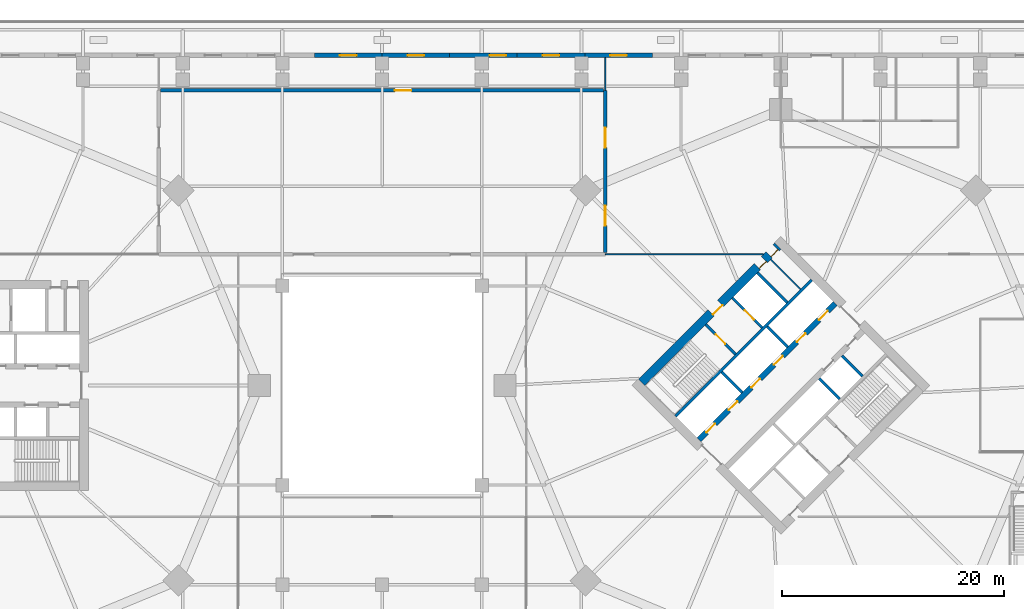
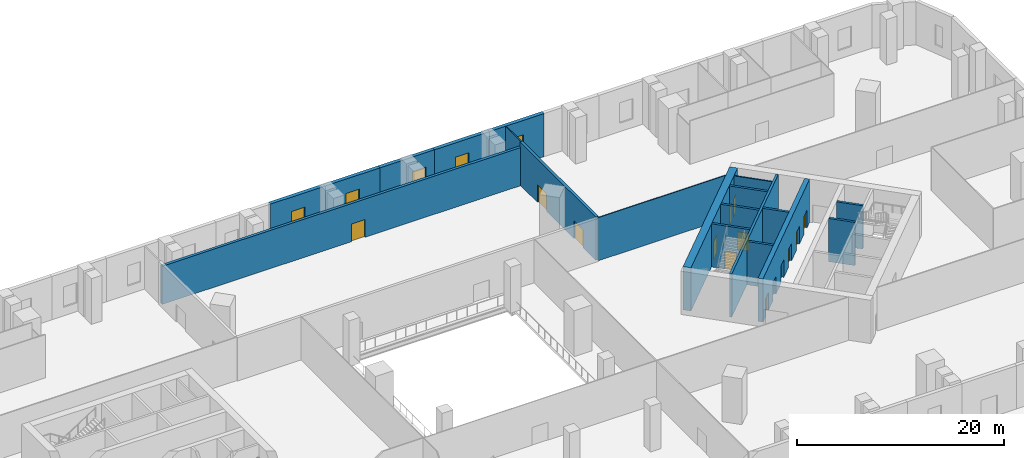
# One storey, part 9 of 19: 20 walls, 14 doors, 5 windows, 19 openings.
"""IFC4 building model written with IfcOpenShell, lengths in metres."""

import ifcopenshell
import ifcopenshell.guid

model = None  # the IFC model being written
_history = None  # IfcOwnerHistory: only IFC2X3 demands one
_inside = {}  # id of a spatial element -> (the spatial element, [elements in it])
_under = {}  # id of a project, library or spatial element -> (it, [spatial elements below it])
_declared = {}  # id of a project -> (the project, [libraries it declares])
_typed = {}  # id of a type object -> (the type object, [elements of that type])
_made_of = {}  # id of a material, layer set ... -> (it, [elements and type objects made of it])


def new_model(schema):
    """Start an empty IFC model of exactly this schema.

    Asked for "IFC4X3", IfcOpenShell would pick the latest addendum, in which some entities
    have other attributes; the version numbers below select the first issue.
    IFC2X3 requires an IfcOwnerHistory on every rooted entity: one is made here for all.
    """
    global model, _history
    if schema == "IFC4X3":
        model = ifcopenshell.file(schema_version=(4, 3, 0, 0))
    else:
        model = ifcopenshell.file(schema=schema)
    _inside.clear()
    _under.clear()
    _declared.clear()
    _typed.clear()
    _made_of.clear()
    _history = None
    if model.schema == "IFC2X3":
        org = make("IfcOrganization", Name="unknown")
        user = make(
            "IfcPersonAndOrganization",
            ThePerson=make("IfcPerson", FamilyName="unknown"),
            TheOrganization=org,
        )
        app = make(
            "IfcApplication",
            ApplicationDeveloper=org,
            Version="unknown",
            ApplicationFullName="unknown",
            ApplicationIdentifier="unknown",
        )
        _history = make(
            "IfcOwnerHistory",
            OwningUser=user,
            OwningApplication=app,
            ChangeAction="ADDED",
            CreationDate=0,
        )
    return model


def make(cls, **values):
    """One entity of the class cls with the attributes given. An attribute that is None is left unset."""
    return model.create_entity(
        cls, **{name: value for name, value in values.items() if value is not None}
    )


def rooted(cls, **values):
    """An entity with a GlobalId (a new one), such as an element, a storey or a relation."""
    return make(cls, GlobalId=ifcopenshell.guid.new(), OwnerHistory=_history, **values)


def si_unit(unit_type, name, prefix=None):
    """IfcSIUnit, for example si_unit("LENGTHUNIT", "METRE", prefix="MILLI")."""
    return make("IfcSIUnit", UnitType=unit_type, Prefix=prefix, Name=name)


def assignment(units):
    """IfcUnitAssignment: the units of a project."""
    return None if units is None else make("IfcUnitAssignment", Units=units)


def point(xyz):
    """IfcCartesianPoint."""
    return None if xyz is None else make("IfcCartesianPoint", Coordinates=xyz)


def direction(xyz):
    """IfcDirection."""
    return None if xyz is None else make("IfcDirection", DirectionRatios=xyz)


def frame(location, z_axis=None, x_axis=None):
    """IfcAxis2Placement3D, a coordinate frame: its origin and axes. An axis left out is left unset."""
    return make(
        "IfcAxis2Placement3D",
        Location=point(location),
        Axis=direction(z_axis),
        RefDirection=direction(x_axis),
    )


def frame_2d(location, x_axis=None):
    """IfcAxis2Placement2D, a coordinate frame in the plane: its origin and x axis."""
    return make(
        "IfcAxis2Placement2D", Location=point(location), RefDirection=direction(x_axis)
    )


def origin():
    """The frame at (0, 0, 0) with its axes left unset."""
    return frame((0.0, 0.0, 0.0))


def place(relative_to, where):
    """IfcLocalPlacement: puts the frame where relative to a parent placement (None: the world)."""
    return make(
        "IfcLocalPlacement", PlacementRelTo=relative_to, RelativePlacement=where
    )


def context(
    kind, dimensions, precision=None, world=None, true_north=None, identifier=None
):
    """IfcGeometricRepresentationContext, for example the 3D "Model" context."""
    return make(
        "IfcGeometricRepresentationContext",
        ContextIdentifier=identifier,
        ContextType=kind,
        CoordinateSpaceDimension=dimensions,
        Precision=precision,
        WorldCoordinateSystem=world,
        TrueNorth=true_north,
    )


def subcontext(parent, identifier, kind, view, scale=None):
    """IfcGeometricRepresentationSubContext, for example "Body" below "Model"."""
    return make(
        "IfcGeometricRepresentationSubContext",
        ContextIdentifier=identifier,
        ContextType=kind,
        ParentContext=parent,
        TargetScale=scale,
        TargetView=view,
    )


def project(units=None, contexts=None):
    """IfcProject with its units and contexts."""
    return rooted(
        "IfcProject",
        Name="project",
        RepresentationContexts=contexts,
        UnitsInContext=assignment(units),
    )


def spatial(cls, under=None, at=None, **own):
    """A site, building, storey or space (cls), placed at a placement, below another one or the project."""
    s = rooted(cls, ObjectPlacement=at, **own)
    if under is not None:
        _under.setdefault(under.id(), (under, []))[1].append(s)
    return s


def profile(cls, at=None, kind="AREA", **sizes):
    """A parametric profile (cls). Its sizes go by their IFC names, for example OverallWidth=200.0."""
    return make(cls, ProfileType=kind, Position=at, **sizes)


def rectangle(**sizes):
    """IfcRectangleProfileDef."""
    return profile("IfcRectangleProfileDef", **sizes)


def extrude(swept, where, along, depth):
    """IfcExtrudedAreaSolid: the profile swept, set in the frame where, extruded along a direction by depth."""
    return make(
        "IfcExtrudedAreaSolid",
        SweptArea=swept,
        Position=where,
        ExtrudedDirection=direction(along),
        Depth=depth,
    )


def shape(context_of_items, identifier, shape_type, items):
    """IfcShapeRepresentation: the items that make up one representation, for example the "Body"."""
    return make(
        "IfcShapeRepresentation",
        ContextOfItems=context_of_items,
        RepresentationIdentifier=identifier,
        RepresentationType=shape_type,
        Items=items,
    )


def material(Name=None, Category=None):
    """IfcMaterial."""
    return make("IfcMaterial", Name=Name, Category=Category)


def layer(
    of_material, thickness, ventilated=None, Name=None, Category=None, Priority=None
):
    """IfcMaterialLayer: one layer of a wall or slab, of a material (None: an air gap)."""
    return make(
        "IfcMaterialLayer",
        Material=of_material,
        LayerThickness=thickness,
        IsVentilated=ventilated,
        Name=Name,
        Category=Category,
        Priority=Priority,
    )


def layer_set(layers, Name=None):
    """IfcMaterialLayerSet."""
    return make("IfcMaterialLayerSet", MaterialLayers=layers, LayerSetName=Name)


def made_of(thing, what):
    """Note that an element or type object is made of a material, layer set ...; save() writes the relation."""
    if what is not None:
        _made_of.setdefault(what.id(), (what, []))[1].append(thing)
    return thing


def type_object(cls, material=None, **own):
    """A type object (cls), such as IfcWallType, which elements share."""
    return made_of(rooted(cls, **own), material)


def element(
    cls,
    number,
    at=None,
    inside=None,
    cuts=None,
    type_object=None,
    material=None,
    context=None,
    identifier="Body",
    shape_type=None,
    held_by="IfcProductDefinitionShape",
    body=None,
    shapes=None,
    **own,
):
    """One element of the class cls, such as IfcWall. Its Tag is "e" and its number.

    at: its placement. inside: the storey or other place that contains it. cuts: it is an
    opening in that element (IfcRelVoidsElement). A single representation is given by context,
    identifier, shape_type and body (its items); several are given by shapes. held_by: the class
    of the entity that holds the representations. save() writes the other relations.
    """
    e = rooted(cls, Tag="e%d" % number, ObjectPlacement=at, **own)
    if body is not None:
        shapes = [shape(context, identifier, shape_type, body)]
    if shapes is not None:
        e.Representation = make(held_by, Representations=shapes)
    if inside is not None:
        _inside.setdefault(inside.id(), (inside, []))[1].append(e)
    if cuts is not None:
        rooted(
            "IfcRelVoidsElement", RelatingBuildingElement=cuts, RelatedOpeningElement=e
        )
    if type_object is not None:
        _typed.setdefault(type_object.id(), (type_object, []))[1].append(e)
    return made_of(e, material)


def fill(opening, filler):
    """IfcRelFillsElement: the door or window that sits in an opening."""
    return rooted(
        "IfcRelFillsElement",
        RelatingOpeningElement=opening,
        RelatedBuildingElement=filler,
    )


def aggregate(whole, parts):
    """IfcRelAggregates: a whole, such as a stair, and the parts it consists of."""
    return rooted("IfcRelAggregates", RelatingObject=whole, RelatedObjects=parts)


def save(model, path):
    """Write the relations noted so far, then the file.

    IfcRelAggregates (storeys below a building ...), IfcRelContainedInSpatialStructure (elements
    in a storey), IfcRelDefinesByType, IfcRelAssociatesMaterial and IfcRelDeclares: one each for
    every whole, place, type object, material and project.
    """
    for whole, parts in _under.values():
        aggregate(whole, parts)
    for where, things in _inside.values():
        rooted(
            "IfcRelContainedInSpatialStructure",
            RelatedElements=things,
            RelatingStructure=where,
        )
    for kind, things in _typed.values():
        rooted("IfcRelDefinesByType", RelatedObjects=things, RelatingType=kind)
    for what, things in _made_of.values():
        rooted("IfcRelAssociatesMaterial", RelatedObjects=things, RelatingMaterial=what)
    for by, libraries in _declared.values():
        rooted("IfcRelDeclares", RelatingContext=by, RelatedDefinitions=libraries)
    model.write(path)


model = new_model("IFC4")

# Units and contexts
model_context = context("Model", 3, precision=1e-05, world=origin(), true_north=direction((0.0, 1.0)))
body_context = subcontext(model_context, "Body", "Model", "MODEL_VIEW")
ifc_project = project(units=[si_unit("LENGTHUNIT", "METRE"), si_unit("AREAUNIT", "SQUARE_METRE"), si_unit("VOLUMEUNIT", "CUBIC_METRE"), si_unit("PLANEANGLEUNIT", "RADIAN"), si_unit("MASSUNIT", "GRAM", prefix="KILO")], contexts=[model_context])

# Site, building, storey
site_placement = place(None, origin())
site = spatial("IfcSite", under=ifc_project, at=site_placement, CompositionType="ELEMENT")
building_placement = place(site_placement, origin())
building = spatial("IfcBuilding", under=site, at=building_placement, Name="Ogive Gate Towers", CompositionType="ELEMENT")
storey_placement = place(building_placement, frame((0.0, 0.0, 12.60009765625)))
storey = spatial("IfcBuildingStorey", under=building, at=storey_placement, Name="L02", CompositionType="ELEMENT", Elevation=12.60009765625)

# Wall, openings, doors
ifc_material_1 = material(Name="Concrete C60/75", Category="concrete")
ifc_layer_1 = layer(ifc_material_1, 0.800048828125)
ifc_layer_set_1 = layer_set([ifc_layer_1], Name="Core wall 800 mm")
wall_type_1 = type_object("IfcWallType", Name="Core wall 800 mm", PredefinedType="SHEAR", material=ifc_layer_set_1)
wall_1_placement = place(storey_placement, frame((23.41357421875, 0.28271484375, 0.0), z_axis=(0.0, 0.0, 1.0), x_axis=(0.707106781187, 0.707106781187, 0.0)))
wall_1 = element("IfcWall", 1, at=wall_1_placement, inside=storey, type_object=wall_type_1, Name="T2 L02 Core wall 800 mm", PredefinedType="SHEAR", context=body_context, shape_type="SweptSolid", body=[
    extrude(rectangle(XDim=17.400146484375, YDim=0.800048828125, at=frame_2d((8.7001953125, 0.0))), origin(), (0.0, 0.0, 1.0), 5.099853515625),
])
opening_1_placement = place(wall_1_placement, frame((8.89990234375, 0.0, 0.0)))
opening_1 = element("IfcOpeningElement", 2, at=opening_1_placement, cuts=wall_1, Name="Opening KD-T2-L02-15", PredefinedType="OPENING", context=body_context, shape_type="SweptSolid", body=[
    extrude(rectangle(XDim=1.199951171875, YDim=2.10009765625, at=frame_2d((0.60009765625, 1.050048828125))), frame((0.0, 0.41015625, 0.0), z_axis=(0.0, -1.0, 0.0), x_axis=(1.0, 0.0, 0.0)), (0.0, 0.0, 1.0), 0.820068359375),
])
opening_2_placement = place(wall_1_placement, frame((14.800048828125, 0.0, 0.0)))
opening_2 = element("IfcOpeningElement", 3, at=opening_2_placement, cuts=wall_1, Name="Opening KD-T2-L02-17", PredefinedType="OPENING", context=body_context, shape_type="SweptSolid", body=[
    extrude(rectangle(XDim=0.89990234375, YDim=2.10009765625, at=frame_2d((0.449951171875, 1.050048828125))), frame((0.0, 0.41015625, 0.0), z_axis=(0.0, -1.0, 0.0), x_axis=(1.0, 0.0, 0.0)), (0.0, 0.0, 1.0), 0.820068359375),
])
opening_3_placement = place(wall_1_placement, frame((16.300048828125, 0.0, 0.0)))
opening_3 = element("IfcOpeningElement", 4, at=opening_3_placement, cuts=wall_1, Name="Opening KD-T2-L02-18", PredefinedType="OPENING", context=body_context, shape_type="SweptSolid", body=[
    extrude(rectangle(XDim=0.89990234375, YDim=2.10009765625, at=frame_2d((0.449951171875, 1.050048828125))), frame((0.0, 0.41015625, 0.0), z_axis=(0.0, -1.0, 0.0), x_axis=(1.0, 0.0, 0.0)), (0.0, 0.0, 1.0), 0.820068359375),
])
ifc_material_2 = material(Name="Timber door", Category="wood")
door_type_1 = type_object("IfcDoorType", Name="Core WC door 900 x 2100", OperationType="NOTDEFINED", PredefinedType="DOOR", material=ifc_material_2)
door_1_placement = place(opening_2_placement, origin())
door_1 = element("IfcDoor", 5, at=door_1_placement, inside=storey, type_object=door_type_1, Name="T2 L02 Core door", OperationType="SINGLE_SWING_RIGHT", OverallHeight=2.10009765625, OverallWidth=0.89990234375, PredefinedType="DOOR", context=body_context, shape_type="SweptSolid", body=[
    extrude(rectangle(XDim=0.89990234375, YDim=2.10009765625, at=frame_2d((0.449951171875, 1.050048828125))), frame((0.0, -0.22509765625, 0.0), z_axis=(0.0, -1.0, 0.0), x_axis=(1.0, 0.0, 0.0)), (0.0, 0.0, 1.0), 0.050048828125),
])
fill(opening_2, door_1)
door_2_placement = place(opening_3_placement, origin())
door_2 = element("IfcDoor", 6, at=door_2_placement, inside=storey, type_object=door_type_1, Name="T2 L02 Core door", OperationType="SINGLE_SWING_LEFT", OverallHeight=2.10009765625, OverallWidth=0.89990234375, PredefinedType="DOOR", context=body_context, shape_type="SweptSolid", body=[
    extrude(rectangle(XDim=0.89990234375, YDim=2.10009765625, at=frame_2d((0.449951171875, 1.050048828125))), frame((0.0, -0.22509765625, 0.0), z_axis=(0.0, -1.0, 0.0), x_axis=(1.0, 0.0, 0.0)), (0.0, 0.0, 1.0), 0.050048828125),
])
fill(opening_3, door_2)
ifc_material_3 = material(Name="Steel fire door", Category="steel")
door_type_2 = type_object("IfcDoorType", Name="Core door FD60S 1200 x 2100", OperationType="NOTDEFINED", PredefinedType="DOOR", material=ifc_material_3)
door_3_placement = place(opening_1_placement, origin())
door_3 = element("IfcDoor", 7, at=door_3_placement, inside=storey, type_object=door_type_2, Name="T2 L02 Fire-fighting lobby door", OperationType="SINGLE_SWING_RIGHT", OverallHeight=2.10009765625, OverallWidth=1.199951171875, PredefinedType="DOOR", context=body_context, shape_type="SweptSolid", body=[
    extrude(rectangle(XDim=1.199951171875, YDim=2.10009765625, at=frame_2d((0.60009765625, 1.050048828125))), frame((0.0, -0.22509765625, 0.0), z_axis=(0.0, -1.0, 0.0), x_axis=(1.0, 0.0, 0.0)), (0.0, 0.0, 1.0), 0.050048828125),
])
fill(opening_1, door_3)

# Walls
ifc_material_4 = material(Name="Gypsum board partition")
ifc_layer_2 = layer(ifc_material_4, 0.10009765625)
ifc_layer_set_2 = layer_set([ifc_layer_2], Name="Partition wall 100")
wall_type_2 = type_object("IfcWallType", Name="Partition wall 100", PredefinedType="PARTITIONING", material=ifc_layer_set_2)
wall_2_placement = place(storey_placement, frame((20.14990234375, 26.64990234375, 0.0), z_axis=(0.0, 0.0, 1.0), x_axis=(0.0, 1.0, 0.0)))
element("IfcWall", 8, at=wall_2_placement, inside=storey, type_object=wall_type_2, Name="L02 partition 024", PredefinedType="PARTITIONING", context=body_context, shape_type="SweptSolid", body=[
    extrude(rectangle(XDim=2.9501953125, YDim=0.10009765625, at=frame_2d((1.47509765625, 0.0))), origin(), (0.0, 0.0, 1.0), 5.099853515625),
])
wall_3_placement = place(storey_placement, frame((20.14990234375, 11.85009765625, 0.0), z_axis=(0.0, 0.0, 1.0), x_axis=(1.0, 0.0, 0.0)))
element("IfcWall", 9, at=wall_3_placement, inside=storey, type_object=wall_type_2, Name="L02 partition 047", PredefinedType="PARTITIONING", context=body_context, shape_type="SweptSolid", body=[
    extrude(rectangle(XDim=14.26513671875, YDim=0.10009765625, at=frame_2d((7.132568359375, 0.0))), origin(), (0.0, 0.0, 1.0), 5.099853515625),
])

# Wall, opening, door
ifc_material_5 = material(Name="Acoustic masonry wall", Category="masonry")
ifc_layer_3 = layer(ifc_material_5, 0.300048828125)
ifc_layer_set_3 = layer_set([ifc_layer_3], Name="Partition wall 300")
wall_type_3 = type_object("IfcWallType", Name="Partition wall 300", PredefinedType="PARTITIONING", material=ifc_layer_set_3)
wall_4_placement = place(storey_placement, frame((-20.0, 26.64990234375, 0.0), z_axis=(0.0, 0.0, 1.0), x_axis=(1.0, 0.0, 0.0)))
wall_4 = element("IfcWall", 10, at=wall_4_placement, inside=storey, type_object=wall_type_3, Name="L02 partition 017", PredefinedType="PARTITIONING", context=body_context, shape_type="SweptSolid", body=[
    extrude(rectangle(XDim=40.0, YDim=0.300048828125, at=frame_2d((20.0, 0.0))), origin(), (0.0, 0.0, 1.0), 4.510009765625),
])
opening_4_placement = place(wall_4_placement, frame((21.14501953125, 0.0, 0.0)))
opening_4 = element("IfcOpeningElement", 11, at=opening_4_placement, cuts=wall_4, Name="Opening PO162", PredefinedType="OPENING", context=body_context, shape_type="SweptSolid", body=[
    extrude(rectangle(XDim=1.5, YDim=2.10009765625, at=frame_2d((0.75, 1.050048828125))), frame((0.0, 0.16015625, 0.0), z_axis=(0.0, -1.0, 0.0), x_axis=(1.0, 0.0, 0.0)), (0.0, 0.0, 1.0), 0.320068359375),
])
door_type_3 = type_object("IfcDoorType", Name="Interior fire double door FD60S 1500 x 2100", OperationType="NOTDEFINED", PredefinedType="DOOR", material=ifc_material_3)
door_4_placement = place(opening_4_placement, origin())
door_4 = element("IfcDoor", 12, at=door_4_placement, inside=storey, type_object=door_type_3, Name="Door PO162", OperationType="DOUBLE_DOOR_DOUBLE_SWING", OverallHeight=2.10009765625, OverallWidth=1.5, PredefinedType="DOOR", context=body_context, shape_type="SweptSolid", body=[
    extrude(rectangle(XDim=1.5, YDim=2.10009765625, at=frame_2d((0.75, 1.050048828125))), frame((0.0, 0.02490234375, 0.0), z_axis=(0.0, -1.0, 0.0), x_axis=(1.0, 0.0, 0.0)), (0.0, 0.0, 1.0), 0.050048828125),
])
fill(opening_4, door_4)

# Wall, openings, doors
wall_5_placement = place(storey_placement, frame((20.14990234375, 12.0, 0.0), z_axis=(0.0, 0.0, 1.0), x_axis=(0.0, 1.0, 0.0)))
wall_5 = element("IfcWall", 13, at=wall_5_placement, inside=storey, type_object=wall_type_3, Name="L02 partition 019", PredefinedType="PARTITIONING", context=body_context, shape_type="SweptSolid", body=[
    extrude(rectangle(XDim=14.64990234375, YDim=0.300048828125, at=frame_2d((7.324951171875, 0.0))), origin(), (0.0, 0.0, 1.0), 5.099853515625),
])
opening_5_placement = place(wall_5_placement, frame((2.44384765625, 0.0, 0.0)))
opening_5 = element("IfcOpeningElement", 14, at=opening_5_placement, cuts=wall_5, Name="Opening PO160", PredefinedType="OPENING", context=body_context, shape_type="SweptSolid", body=[
    extrude(rectangle(XDim=1.800048828125, YDim=2.10009765625, at=frame_2d((0.89990234375, 1.050048828125))), frame((0.0, 0.16015625, 0.0), z_axis=(0.0, -1.0, 0.0), x_axis=(1.0, 0.0, 0.0)), (0.0, 0.0, 1.0), 0.320068359375),
])
opening_6_placement = place(wall_5_placement, frame((9.487548828125, 0.0, 0.0)))
opening_6 = element("IfcOpeningElement", 15, at=opening_6_placement, cuts=wall_5, Name="Opening PO161", PredefinedType="OPENING", context=body_context, shape_type="SweptSolid", body=[
    extrude(rectangle(XDim=1.800048828125, YDim=2.10009765625, at=frame_2d((0.89990234375, 1.050048828125))), frame((0.0, 0.16015625, 0.0), z_axis=(0.0, -1.0, 0.0), x_axis=(1.0, 0.0, 0.0)), (0.0, 0.0, 1.0), 0.320068359375),
])
door_type_4 = type_object("IfcDoorType", Name="Interior fire double door FD60S 1800 x 2100", OperationType="NOTDEFINED", PredefinedType="DOOR", material=ifc_material_3)
door_5_placement = place(opening_5_placement, origin())
door_5 = element("IfcDoor", 16, at=door_5_placement, inside=storey, type_object=door_type_4, Name="Door PO160", OperationType="DOUBLE_DOOR_DOUBLE_SWING", OverallHeight=2.10009765625, OverallWidth=1.800048828125, PredefinedType="DOOR", context=body_context, shape_type="SweptSolid", body=[
    extrude(rectangle(XDim=1.800048828125, YDim=2.10009765625, at=frame_2d((0.89990234375, 1.050048828125))), frame((0.0, 0.02490234375, 0.0), z_axis=(0.0, -1.0, 0.0), x_axis=(1.0, 0.0, 0.0)), (0.0, 0.0, 1.0), 0.050048828125),
])
fill(opening_5, door_5)
door_6_placement = place(opening_6_placement, origin())
door_6 = element("IfcDoor", 17, at=door_6_placement, inside=storey, type_object=door_type_4, Name="Door PO161", OperationType="DOUBLE_DOOR_DOUBLE_SWING", OverallHeight=2.10009765625, OverallWidth=1.800048828125, PredefinedType="DOOR", context=body_context, shape_type="SweptSolid", body=[
    extrude(rectangle(XDim=1.800048828125, YDim=2.10009765625, at=frame_2d((0.89990234375, 1.050048828125))), frame((0.0, 0.02490234375, 0.0), z_axis=(0.0, -1.0, 0.0), x_axis=(1.0, 0.0, 0.0)), (0.0, 0.0, 1.0), 0.050048828125),
])
fill(opening_6, door_6)

# Wall, opening, window
ifc_material_6 = material(Name="Precast concrete C40/50", Category="concrete")
ifc_layer_4 = layer(ifc_material_6, 0.39990234375)
ifc_layer_set_4 = layer_set([ifc_layer_4], Name="Podium wall 400")
wall_type_4 = type_object("IfcWallType", Name="Podium wall 400", PredefinedType="SOLIDWALL", material=ifc_layer_set_4)
wall_6_placement = place(storey_placement, frame((24.39990234375, 29.800048828125, 0.0), z_axis=(0.0, 0.0, 1.0), x_axis=(-1.0, 0.0, 0.0)))
wall_6 = element("IfcWall", 18, at=wall_6_placement, inside=storey, type_object=wall_type_4, Name="Podium wall", PredefinedType="SOLIDWALL", context=body_context, shape_type="SweptSolid", body=[
    extrude(rectangle(XDim=6.099853515625, YDim=0.39990234375, at=frame_2d((3.0498046875, 0.0))), origin(), (0.0, 0.0, 1.0), 5.099853515625),
])
opening_7_placement = place(wall_6_placement, frame((2.300048828125, 0.0, 1.0)))
opening_7 = element("IfcOpeningElement", 19, at=opening_7_placement, cuts=wall_6, Name="Opening WN2", PredefinedType="OPENING", context=body_context, shape_type="SweptSolid", body=[
    extrude(rectangle(XDim=1.5, YDim=2.39990234375, at=frame_2d((0.75, 1.199951171875))), frame((0.0, 0.2099609375, 0.0), z_axis=(0.0, -1.0, 0.0), x_axis=(1.0, 0.0, 0.0)), (0.0, 0.0, 1.0), 0.419921875),
])
ifc_material_7 = material(Name="Clear glass", Category="glass")
window_type = type_object("IfcWindowType", Name="Podium window 1500 x 2400", PartitioningType="SINGLE_PANEL", PredefinedType="WINDOW", material=ifc_material_7)
window_1_placement = place(opening_7_placement, origin())
window_1 = element("IfcWindow", 20, at=window_1_placement, inside=storey, type_object=window_type, Name="Podium window", OverallHeight=2.39990234375, OverallWidth=1.5, PartitioningType="SINGLE_PANEL", PredefinedType="WINDOW", context=body_context, shape_type="SweptSolid", body=[
    extrude(rectangle(XDim=1.5, YDim=2.39990234375, at=frame_2d((0.75, 1.199951171875))), frame((0.0, 0.030029296875, 0.0), z_axis=(0.0, -1.0, 0.0), x_axis=(1.0, 0.0, 0.0)), (0.0, 0.0, 1.0), 0.06005859375),
])
fill(opening_7, window_1)

wall_7_placement = place(storey_placement, frame((18.300048828125, 29.800048828125, 0.0), z_axis=(0.0, 0.0, 1.0), x_axis=(-1.0, 0.0, 0.0)))
wall_7 = element("IfcWall", 21, at=wall_7_placement, inside=storey, type_object=wall_type_4, Name="Podium wall", PredefinedType="SOLIDWALL", context=body_context, shape_type="SweptSolid", body=[
    extrude(rectangle(XDim=6.10009765625, YDim=0.39990234375, at=frame_2d((3.050048828125, 0.0))), origin(), (0.0, 0.0, 1.0), 5.099853515625),
])
opening_8_placement = place(wall_7_placement, frame((2.300048828125, 0.0, 1.0)))
opening_8 = element("IfcOpeningElement", 22, at=opening_8_placement, cuts=wall_7, Name="Opening WN2", PredefinedType="OPENING", context=body_context, shape_type="SweptSolid", body=[
    extrude(rectangle(XDim=1.5, YDim=2.39990234375, at=frame_2d((0.75, 1.199951171875))), frame((0.0, 0.2099609375, 0.0), z_axis=(0.0, -1.0, 0.0), x_axis=(1.0, 0.0, 0.0)), (0.0, 0.0, 1.0), 0.419921875),
])
window_2_placement = place(opening_8_placement, origin())
window_2 = element("IfcWindow", 23, at=window_2_placement, inside=storey, type_object=window_type, Name="Podium window", OverallHeight=2.39990234375, OverallWidth=1.5, PartitioningType="SINGLE_PANEL", PredefinedType="WINDOW", context=body_context, shape_type="SweptSolid", body=[
    extrude(rectangle(XDim=1.5, YDim=2.39990234375, at=frame_2d((0.75, 1.199951171875))), frame((0.0, 0.030029296875, 0.0), z_axis=(0.0, -1.0, 0.0), x_axis=(1.0, 0.0, 0.0)), (0.0, 0.0, 1.0), 0.06005859375),
])
fill(opening_8, window_2)

wall_8_placement = place(storey_placement, frame((12.199951171875, 29.800048828125, 0.0), z_axis=(0.0, 0.0, 1.0), x_axis=(-1.0, 0.0, 0.0)))
wall_8 = element("IfcWall", 24, at=wall_8_placement, inside=storey, type_object=wall_type_4, Name="Podium wall", PredefinedType="SOLIDWALL", context=body_context, shape_type="SweptSolid", body=[
    extrude(rectangle(XDim=6.099853515625, YDim=0.39990234375, at=frame_2d((3.0498046875, 0.0))), origin(), (0.0, 0.0, 1.0), 5.099853515625),
])
opening_9_placement = place(wall_8_placement, frame((1.0, 0.0, 1.0)))
opening_9 = element("IfcOpeningElement", 25, at=opening_9_placement, cuts=wall_8, Name="Opening WN2", PredefinedType="OPENING", context=body_context, shape_type="SweptSolid", body=[
    extrude(rectangle(XDim=1.5, YDim=2.39990234375, at=frame_2d((0.75, 1.199951171875))), frame((0.0, 0.2099609375, 0.0), z_axis=(0.0, -1.0, 0.0), x_axis=(1.0, 0.0, 0.0)), (0.0, 0.0, 1.0), 0.419921875),
])
window_3_placement = place(opening_9_placement, origin())
window_3 = element("IfcWindow", 26, at=window_3_placement, inside=storey, type_object=window_type, Name="Podium window", OverallHeight=2.39990234375, OverallWidth=1.5, PartitioningType="SINGLE_PANEL", PredefinedType="WINDOW", context=body_context, shape_type="SweptSolid", body=[
    extrude(rectangle(XDim=1.5, YDim=2.39990234375, at=frame_2d((0.75, 1.199951171875))), frame((0.0, 0.030029296875, 0.0), z_axis=(0.0, -1.0, 0.0), x_axis=(1.0, 0.0, 0.0)), (0.0, 0.0, 1.0), 0.06005859375),
])
fill(opening_9, window_3)

wall_9_placement = place(storey_placement, frame((6.10009765625, 29.800048828125, 0.0), z_axis=(0.0, 0.0, 1.0), x_axis=(-1.0, 0.0, 0.0)))
wall_9 = element("IfcWall", 27, at=wall_9_placement, inside=storey, type_object=wall_type_4, Name="Podium wall", PredefinedType="SOLIDWALL", context=body_context, shape_type="SweptSolid", body=[
    extrude(rectangle(XDim=6.10009765625, YDim=0.39990234375, at=frame_2d((3.050048828125, 0.0))), origin(), (0.0, 0.0, 1.0), 5.099853515625),
])
opening_10_placement = place(wall_9_placement, frame((2.300048828125, 0.0, 1.0)))
opening_10 = element("IfcOpeningElement", 28, at=opening_10_placement, cuts=wall_9, Name="Opening WN2", PredefinedType="OPENING", context=body_context, shape_type="SweptSolid", body=[
    extrude(rectangle(XDim=1.5, YDim=2.39990234375, at=frame_2d((0.75, 1.199951171875))), frame((0.0, 0.2099609375, 0.0), z_axis=(0.0, -1.0, 0.0), x_axis=(1.0, 0.0, 0.0)), (0.0, 0.0, 1.0), 0.419921875),
])
window_4_placement = place(opening_10_placement, origin())
window_4 = element("IfcWindow", 29, at=window_4_placement, inside=storey, type_object=window_type, Name="Podium window", OverallHeight=2.39990234375, OverallWidth=1.5, PartitioningType="SINGLE_PANEL", PredefinedType="WINDOW", context=body_context, shape_type="SweptSolid", body=[
    extrude(rectangle(XDim=1.5, YDim=2.39990234375, at=frame_2d((0.75, 1.199951171875))), frame((0.0, 0.030029296875, 0.0), z_axis=(0.0, -1.0, 0.0), x_axis=(1.0, 0.0, 0.0)), (0.0, 0.0, 1.0), 0.06005859375),
])
fill(opening_10, window_4)

wall_10_placement = place(storey_placement, frame((0.0, 29.800048828125, 0.0), z_axis=(0.0, 0.0, 1.0), x_axis=(-1.0, 0.0, 0.0)))
wall_10 = element("IfcWall", 30, at=wall_10_placement, inside=storey, type_object=wall_type_4, Name="Podium wall", PredefinedType="SOLIDWALL", context=body_context, shape_type="SweptSolid", body=[
    extrude(rectangle(XDim=6.10009765625, YDim=0.39990234375, at=frame_2d((3.050048828125, 0.0))), origin(), (0.0, 0.0, 1.0), 5.099853515625),
])
opening_11_placement = place(wall_10_placement, frame((2.300048828125, 0.0, 1.0)))
opening_11 = element("IfcOpeningElement", 31, at=opening_11_placement, cuts=wall_10, Name="Opening WN2", PredefinedType="OPENING", context=body_context, shape_type="SweptSolid", body=[
    extrude(rectangle(XDim=1.5, YDim=2.39990234375, at=frame_2d((0.75, 1.199951171875))), frame((0.0, 0.2099609375, 0.0), z_axis=(0.0, -1.0, 0.0), x_axis=(1.0, 0.0, 0.0)), (0.0, 0.0, 1.0), 0.419921875),
])
window_5_placement = place(opening_11_placement, origin())
window_5 = element("IfcWindow", 32, at=window_5_placement, inside=storey, type_object=window_type, Name="Podium window", OverallHeight=2.39990234375, OverallWidth=1.5, PartitioningType="SINGLE_PANEL", PredefinedType="WINDOW", context=body_context, shape_type="SweptSolid", body=[
    extrude(rectangle(XDim=1.5, YDim=2.39990234375, at=frame_2d((0.75, 1.199951171875))), frame((0.0, 0.030029296875, 0.0), z_axis=(0.0, -1.0, 0.0), x_axis=(1.0, 0.0, 0.0)), (0.0, 0.0, 1.0), 0.06005859375),
])
fill(opening_11, window_5)

# Walls
ifc_layer_5 = layer(ifc_material_4, 0.14990234375)
ifc_layer_set_5 = layer_set([ifc_layer_5], Name="Room partition 150 mm")
wall_type_5 = type_object("IfcWallType", Name="Room partition 150 mm", PredefinedType="PARTITIONING", material=ifc_layer_set_5)
wall_11_placement = place(storey_placement, frame((37.785400390625, 8.6796875, 0.0), z_axis=(0.0, 0.0, 1.0), x_axis=(-0.707074866995, 0.707138693938, 0.0)))
element("IfcWall", 33, at=wall_11_placement, inside=storey, type_object=wall_type_5, Name="T2 L02 Room partition 150 mm", PredefinedType="PARTITIONING", context=body_context, shape_type="SweptSolid", body=[
    extrude(rectangle(XDim=3.824951171875, YDim=0.14990234375, at=frame_2d((1.91259765625, 0.0))), origin(), (0.0, 0.0, 1.0), 5.099853515625),
])
ifc_layer_6 = layer(ifc_material_1, 0.25)
ifc_layer_set_6 = layer_set([ifc_layer_6], Name="Shaft wall 250 mm")
wall_type_6 = type_object("IfcWallType", Name="Shaft wall 250 mm", PredefinedType="SHEAR", material=ifc_layer_set_6)
wall_12_placement = place(storey_placement, frame((26.489501953125, -2.793212890625, 0.0), z_axis=(0.0, 0.0, 1.0), x_axis=(0.707106781187, 0.707106781187, 0.0)))
element("IfcWall", 34, at=wall_12_placement, inside=storey, type_object=wall_type_6, Name="T2 L02 Shaft wall 250 mm", PredefinedType="SHEAR", context=body_context, shape_type="SweptSolid", body=[
    extrude(rectangle(XDim=17.400146484375, YDim=0.25, at=frame_2d((8.7001953125, 0.0))), origin(), (0.0, 0.0, 1.0), 5.099853515625),
])
wall_13_placement = place(storey_placement, frame((32.53515625, -0.636474609375, 0.0), z_axis=(0.0, 0.0, 1.0), x_axis=(-0.707106781187, 0.707106781187, 0.0)))
element("IfcWall", 35, at=wall_13_placement, inside=storey, type_object=wall_type_6, Name="T2 L02 Shaft wall 250 mm", PredefinedType="SHEAR", context=body_context, shape_type="SweptSolid", body=[
    extrude(rectangle(XDim=2.625, YDim=0.25, at=frame_2d((1.3125, 0.0))), origin(), (0.0, 0.0, 1.0), 5.099853515625),
])

# Wall, opening, door
wall_14_placement = place(storey_placement, frame((31.91650390625, 2.810791015625, 0.0), z_axis=(0.0, 0.0, 1.0), x_axis=(-0.707106781187, 0.707106781187, 0.0)))
wall_14 = element("IfcWall", 36, at=wall_14_placement, inside=storey, type_object=wall_type_6, Name="T2 L02 Shaft wall 250 mm", PredefinedType="SHEAR", context=body_context, shape_type="SweptSolid", body=[
    extrude(rectangle(XDim=3.824951171875, YDim=0.25, at=frame_2d((1.91259765625, 0.0))), origin(), (0.0, 0.0, 1.0), 5.099853515625),
])
opening_12_placement = place(wall_14_placement, frame((1.324951171875, 0.0, 0.0)))
opening_12 = element("IfcOpeningElement", 37, at=opening_12_placement, cuts=wall_14, Name="Opening KD-T2-L02-13", PredefinedType="OPENING", context=body_context, shape_type="SweptSolid", body=[
    extrude(rectangle(XDim=1.199951171875, YDim=2.10009765625, at=frame_2d((0.60009765625, 1.050048828125))), frame((0.0, 0.135009765625, 0.0), z_axis=(0.0, -1.0, 0.0), x_axis=(1.0, 0.0, 0.0)), (0.0, 0.0, 1.0), 0.27001953125),
])
door_7_placement = place(opening_12_placement, origin())
door_7 = element("IfcDoor", 38, at=door_7_placement, inside=storey, type_object=door_type_2, Name="T2 L02 Stair door", OperationType="SINGLE_SWING_RIGHT", OverallHeight=2.10009765625, OverallWidth=1.199951171875, PredefinedType="DOOR", context=body_context, shape_type="SweptSolid", body=[
    extrude(rectangle(XDim=1.199951171875, YDim=2.10009765625, at=frame_2d((0.60009765625, 1.050048828125))), frame((0.0, 0.02490234375, 0.0), z_axis=(0.0, -1.0, 0.0), x_axis=(1.0, 0.0, 0.0)), (0.0, 0.0, 1.0), 0.050048828125),
])
fill(opening_12, door_7)

wall_15_placement = place(storey_placement, frame((34.320556640625, 5.21484375, 0.0), z_axis=(0.0, 0.0, 1.0), x_axis=(-0.707074866995, 0.707138693938, 0.0)))
wall_15 = element("IfcWall", 39, at=wall_15_placement, inside=storey, type_object=wall_type_6, Name="T2 L02 Shaft wall 250 mm", PredefinedType="SHEAR", context=body_context, shape_type="SweptSolid", body=[
    extrude(rectangle(XDim=3.824951171875, YDim=0.25, at=frame_2d((1.91259765625, 0.0))), origin(), (0.0, 0.0, 1.0), 5.099853515625),
])
opening_13_placement = place(wall_15_placement, frame((1.02490234375, 0.0, 0.0)))
opening_13 = element("IfcOpeningElement", 40, at=opening_13_placement, cuts=wall_15, Name="Opening LD-T2-L02-10", PredefinedType="OPENING", context=body_context, shape_type="SweptSolid", body=[
    extrude(rectangle(XDim=1.199951171875, YDim=2.10009765625, at=frame_2d((0.60009765625, 1.050048828125))), frame((0.0, 0.135009765625, 0.0), z_axis=(0.0, -1.0, 0.0), x_axis=(1.0, 0.0, 0.0)), (0.0, 0.0, 1.0), 0.27001953125),
])
ifc_material_8 = material(Name="Stainless steel landing door", Category="steel")
door_type_5 = type_object("IfcDoorType", Name="Landing door 1200 x 2100", OperationType="SLIDING_TO_LEFT", PredefinedType="DOOR", material=ifc_material_8)
door_8_placement = place(opening_13_placement, origin())
door_8 = element("IfcDoor", 41, at=door_8_placement, inside=storey, type_object=door_type_5, Name="T2 L02 Lift landing door FF1", OperationType="SLIDING_TO_LEFT", OverallHeight=2.10009765625, OverallWidth=1.199951171875, PredefinedType="DOOR", context=body_context, shape_type="SweptSolid", body=[
    extrude(rectangle(XDim=1.199951171875, YDim=2.10009765625, at=frame_2d((0.60009765625, 1.050048828125))), frame((0.0, 0.02490234375, 0.0), z_axis=(0.0, -1.0, 0.0), x_axis=(1.0, 0.0, 0.0)), (0.0, 0.0, 1.0), 0.050048828125),
])
fill(opening_13, door_8)

# Walls
for number, where, z_axis, x_axis, name in (
    (42, (41.321044921875, -1.2197265625, 0.0), (0.0, 0.0, 1.0), (-0.707106781187, 0.707106781187, 0.0), "T2 L02 Shaft wall 250 mm"),
    (43, (36.636474609375, 3.46484375, 0.0), (0.0, 0.0, 1.0), (-0.707106781187, 0.707106781187, 0.0), "T2 L02 Shaft wall 250 mm"),
):
    element("IfcWall", number, at=place(storey_placement, frame(where, z_axis=z_axis, x_axis=x_axis)), inside=storey, type_object=wall_type_6, Name=name, PredefinedType="SHEAR", context=body_context, shape_type="SweptSolid", body=[
        extrude(rectangle(XDim=2.625, YDim=0.25, at=frame_2d((1.3125, 0.0))), origin(), (0.0, 0.0, 1.0), 5.099853515625),
    ])
wall_16_placement = place(storey_placement, frame((36.58349609375, 7.477783203125, 0.0), z_axis=(0.0, 0.0, 1.0), x_axis=(-0.707138693938, 0.707074866995, 0.0)))
element("IfcWall", 44, at=wall_16_placement, inside=storey, type_object=wall_type_6, Name="T2 L02 Shaft wall 250 mm", PredefinedType="SHEAR", context=body_context, shape_type="SweptSolid", body=[
    extrude(rectangle(XDim=3.824951171875, YDim=0.25, at=frame_2d((1.91259765625, 0.0))), origin(), (0.0, 0.0, 1.0), 5.099853515625),
])
wall_17_placement = place(storey_placement, frame((43.37158203125, 0.830810546875, 0.0), z_axis=(0.0, 0.0, 1.0), x_axis=(-0.707106781187, 0.707106781187, 0.0)))
element("IfcWall", 45, at=wall_17_placement, inside=storey, type_object=wall_type_6, Name="T2 L02 Shaft wall 250 mm", PredefinedType="SHEAR", context=body_context, shape_type="SweptSolid", body=[
    extrude(rectangle(XDim=2.625, YDim=0.25, at=frame_2d((1.3125, 0.0))), origin(), (0.0, 0.0, 1.0), 5.099853515625),
])

# Wall, openings, doors
ifc_layer_7 = layer(ifc_material_1, 0.5)
ifc_layer_set_7 = layer_set([ifc_layer_7], Name="Spine wall 500 mm")
wall_type_7 = type_object("IfcWallType", Name="Spine wall 500 mm", PredefinedType="SHEAR", material=ifc_layer_set_7)
wall_18_placement = place(storey_placement, frame((28.610595703125, -4.914306640625, 0.0), z_axis=(0.0, 0.0, 1.0), x_axis=(0.707106781187, 0.707106781187, 0.0)))
wall_18 = element("IfcWall", 46, at=wall_18_placement, inside=storey, type_object=wall_type_7, Name="T2 L02 Spine wall 500 mm", PredefinedType="SHEAR", context=body_context, shape_type="SweptSolid", body=[
    extrude(rectangle(XDim=17.400146484375, YDim=0.5, at=frame_2d((8.7001953125, 0.0))), origin(), (0.0, 0.0, 1.0), 5.099853515625),
])
opening_14_placement = place(wall_18_placement, frame((0.96240234375, 0.0, 0.0)))
opening_14 = element("IfcOpeningElement", 47, at=opening_14_placement, cuts=wall_18, Name="Opening LD-T2-L02-03", PredefinedType="OPENING", context=body_context, shape_type="SweptSolid", body=[
    extrude(rectangle(XDim=1.10009765625, YDim=2.10009765625, at=frame_2d((0.550048828125, 1.050048828125))), frame((0.0, 0.260009765625, 0.0), z_axis=(0.0, -1.0, 0.0), x_axis=(1.0, 0.0, 0.0)), (0.0, 0.0, 1.0), 0.52001953125),
])
opening_15_placement = place(wall_18_placement, frame((3.800048828125, 0.0, 0.0)))
opening_15 = element("IfcOpeningElement", 48, at=opening_15_placement, cuts=wall_18, Name="Opening LD-T2-L02-04", PredefinedType="OPENING", context=body_context, shape_type="SweptSolid", body=[
    extrude(rectangle(XDim=1.10009765625, YDim=2.10009765625, at=frame_2d((0.550048828125, 1.050048828125))), frame((0.0, 0.260009765625, 0.0), z_axis=(0.0, -1.0, 0.0), x_axis=(1.0, 0.0, 0.0)), (0.0, 0.0, 1.0), 0.52001953125),
])
opening_16_placement = place(wall_18_placement, frame((6.699951171875, 0.0, 0.0)))
opening_16 = element("IfcOpeningElement", 49, at=opening_16_placement, cuts=wall_18, Name="Opening LD-T2-L02-05", PredefinedType="OPENING", context=body_context, shape_type="SweptSolid", body=[
    extrude(rectangle(XDim=1.10009765625, YDim=2.10009765625, at=frame_2d((0.550048828125, 1.050048828125))), frame((0.0, 0.260009765625, 0.0), z_axis=(0.0, -1.0, 0.0), x_axis=(1.0, 0.0, 0.0)), (0.0, 0.0, 1.0), 0.52001953125),
])
opening_17_placement = place(wall_18_placement, frame((9.60009765625, 0.0, 0.0)))
opening_17 = element("IfcOpeningElement", 50, at=opening_17_placement, cuts=wall_18, Name="Opening LD-T2-L02-06", PredefinedType="OPENING", context=body_context, shape_type="SweptSolid", body=[
    extrude(rectangle(XDim=1.10009765625, YDim=2.10009765625, at=frame_2d((0.550048828125, 1.050048828125))), frame((0.0, 0.260009765625, 0.0), z_axis=(0.0, -1.0, 0.0), x_axis=(1.0, 0.0, 0.0)), (0.0, 0.0, 1.0), 0.52001953125),
])
opening_18_placement = place(wall_18_placement, frame((12.5, 0.0, 0.0)))
opening_18 = element("IfcOpeningElement", 51, at=opening_18_placement, cuts=wall_18, Name="Opening LD-T2-L02-07", PredefinedType="OPENING", context=body_context, shape_type="SweptSolid", body=[
    extrude(rectangle(XDim=1.10009765625, YDim=2.10009765625, at=frame_2d((0.550048828125, 1.050048828125))), frame((0.0, 0.260009765625, 0.0), z_axis=(0.0, -1.0, 0.0), x_axis=(1.0, 0.0, 0.0)), (0.0, 0.0, 1.0), 0.52001953125),
])
opening_19_placement = place(wall_18_placement, frame((15.33740234375, 0.0, 0.0)))
opening_19 = element("IfcOpeningElement", 52, at=opening_19_placement, cuts=wall_18, Name="Opening LD-T2-L02-08", PredefinedType="OPENING", context=body_context, shape_type="SweptSolid", body=[
    extrude(rectangle(XDim=1.10009765625, YDim=2.10009765625, at=frame_2d((0.550048828125, 1.050048828125))), frame((0.0, 0.260009765625, 0.0), z_axis=(0.0, -1.0, 0.0), x_axis=(1.0, 0.0, 0.0)), (0.0, 0.0, 1.0), 0.52001953125),
])
door_type_6 = type_object("IfcDoorType", Name="Landing door 1100 x 2100", OperationType="SLIDING_TO_LEFT", PredefinedType="DOOR", material=ifc_material_8)
door_9_placement = place(opening_14_placement, origin())
door_9 = element("IfcDoor", 53, at=door_9_placement, inside=storey, type_object=door_type_6, Name="T2 L02 Lift landing door A1", OperationType="SLIDING_TO_LEFT", OverallHeight=2.10009765625, OverallWidth=1.10009765625, PredefinedType="DOOR", context=body_context, shape_type="SweptSolid", body=[
    extrude(rectangle(XDim=1.10009765625, YDim=2.10009765625, at=frame_2d((0.550048828125, 1.050048828125))), frame((0.0, 0.02490234375, 0.0), z_axis=(0.0, -1.0, 0.0), x_axis=(1.0, 0.0, 0.0)), (0.0, 0.0, 1.0), 0.050048828125),
])
fill(opening_14, door_9)
door_10_placement = place(opening_15_placement, origin())
door_10 = element("IfcDoor", 54, at=door_10_placement, inside=storey, type_object=door_type_6, Name="T2 L02 Lift landing door A2", OperationType="SLIDING_TO_LEFT", OverallHeight=2.10009765625, OverallWidth=1.10009765625, PredefinedType="DOOR", context=body_context, shape_type="SweptSolid", body=[
    extrude(rectangle(XDim=1.10009765625, YDim=2.10009765625, at=frame_2d((0.550048828125, 1.050048828125))), frame((0.0, 0.02490234375, 0.0), z_axis=(0.0, -1.0, 0.0), x_axis=(1.0, 0.0, 0.0)), (0.0, 0.0, 1.0), 0.050048828125),
])
fill(opening_15, door_10)
door_11_placement = place(opening_16_placement, origin())
door_11 = element("IfcDoor", 55, at=door_11_placement, inside=storey, type_object=door_type_6, Name="T2 L02 Lift landing door A3", OperationType="SLIDING_TO_LEFT", OverallHeight=2.10009765625, OverallWidth=1.10009765625, PredefinedType="DOOR", context=body_context, shape_type="SweptSolid", body=[
    extrude(rectangle(XDim=1.10009765625, YDim=2.10009765625, at=frame_2d((0.550048828125, 1.050048828125))), frame((0.0, 0.02490234375, 0.0), z_axis=(0.0, -1.0, 0.0), x_axis=(1.0, 0.0, 0.0)), (0.0, 0.0, 1.0), 0.050048828125),
])
fill(opening_16, door_11)
door_12_placement = place(opening_17_placement, origin())
door_12 = element("IfcDoor", 56, at=door_12_placement, inside=storey, type_object=door_type_6, Name="T2 L02 Lift landing door A4", OperationType="SLIDING_TO_LEFT", OverallHeight=2.10009765625, OverallWidth=1.10009765625, PredefinedType="DOOR", context=body_context, shape_type="SweptSolid", body=[
    extrude(rectangle(XDim=1.10009765625, YDim=2.10009765625, at=frame_2d((0.550048828125, 1.050048828125))), frame((0.0, 0.02490234375, 0.0), z_axis=(0.0, -1.0, 0.0), x_axis=(1.0, 0.0, 0.0)), (0.0, 0.0, 1.0), 0.050048828125),
])
fill(opening_17, door_12)
door_13_placement = place(opening_18_placement, origin())
door_13 = element("IfcDoor", 57, at=door_13_placement, inside=storey, type_object=door_type_6, Name="T2 L02 Lift landing door A5", OperationType="SLIDING_TO_LEFT", OverallHeight=2.10009765625, OverallWidth=1.10009765625, PredefinedType="DOOR", context=body_context, shape_type="SweptSolid", body=[
    extrude(rectangle(XDim=1.10009765625, YDim=2.10009765625, at=frame_2d((0.550048828125, 1.050048828125))), frame((0.0, 0.02490234375, 0.0), z_axis=(0.0, -1.0, 0.0), x_axis=(1.0, 0.0, 0.0)), (0.0, 0.0, 1.0), 0.050048828125),
])
fill(opening_18, door_13)
door_14_placement = place(opening_19_placement, origin())
door_14 = element("IfcDoor", 58, at=door_14_placement, inside=storey, type_object=door_type_6, Name="T2 L02 Lift landing door A6", OperationType="SLIDING_TO_LEFT", OverallHeight=2.10009765625, OverallWidth=1.10009765625, PredefinedType="DOOR", context=body_context, shape_type="SweptSolid", body=[
    extrude(rectangle(XDim=1.10009765625, YDim=2.10009765625, at=frame_2d((0.550048828125, 1.050048828125))), frame((0.0, 0.02490234375, 0.0), z_axis=(0.0, -1.0, 0.0), x_axis=(1.0, 0.0, 0.0)), (0.0, 0.0, 1.0), 0.050048828125),
])
fill(opening_19, door_14)

save(model, "model.ifc")
